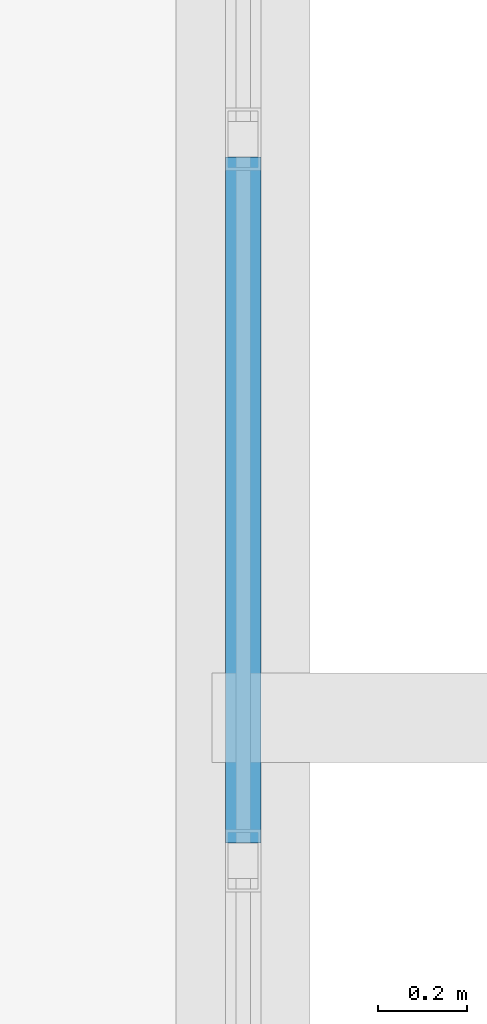
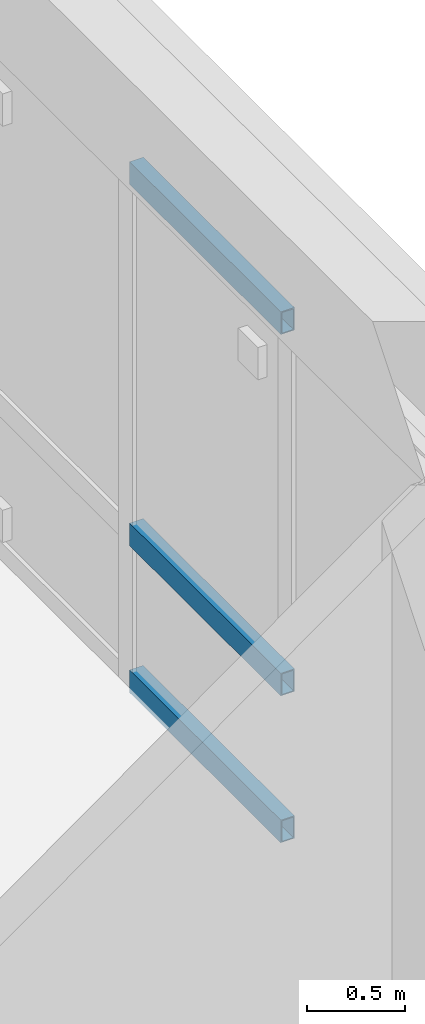
# One storey, part 103 of 170: 3 members, 1 element without a shape of its own.
"""IFC4 building model written with IfcOpenShell, lengths in metres."""

from ifc_helpers import new_model, si_unit, direction, frame, origin, origin_2d, place, context, subcontext, project, spatial, hollow_rectangle, extrude, material, layer, layer_set, material_profile, profile_set, type_object, element, aggregate, save


model = new_model("IFC4")

# Units and contexts
model_context = context("Model", 3, precision=1e-05, world=origin(), true_north=direction((0.0, 1.0)))
body_context = subcontext(model_context, "Body", "Model", "MODEL_VIEW")
ifc_project = project(units=[si_unit("LENGTHUNIT", "METRE"), si_unit("AREAUNIT", "SQUARE_METRE"), si_unit("VOLUMEUNIT", "CUBIC_METRE"), si_unit("PLANEANGLEUNIT", "RADIAN"), si_unit("MASSUNIT", "GRAM", prefix="KILO")], contexts=[model_context])

# Site, building, storey
site_placement = place(None, origin())
site = spatial("IfcSite", under=ifc_project, at=site_placement, CompositionType="ELEMENT")
building_placement = place(site_placement, origin())
building = spatial("IfcBuilding", under=site, at=building_placement, Name="Mazaris Harbour Polytechnic", CompositionType="ELEMENT")
storey_placement = place(building_placement, frame((0.0, 0.0, 5.39990234375)))
storey = spatial("IfcBuildingStorey", under=building, at=storey_placement, Name="L01", CompositionType="ELEMENT", Elevation=5.39990234375)

# Curtain wall, members
ifc_material_1 = material(Name="Anodised Bronze Aluminium and Low-E Glass", Category="aluminium")
ifc_layer = layer(ifc_material_1, 0.169921875, Name="Anodised Bronze Aluminium and Low-E Glass")
ifc_layer_set = layer_set([ifc_layer], Name="Anodised Bronze Aluminium and Low-E Glass")
curtain_wall_type = type_object("IfcCurtainWallType", Name="Studio North-Light Curtain Wall", PredefinedType="NOTDEFINED", material=ifc_layer_set)
curtain_wall_placement = place(storey_placement, origin())
curtain_wall = element("IfcCurtainWall", 1, at=curtain_wall_placement, inside=storey, type_object=curtain_wall_type, Name="V5 L01 Curtain Wall 221", PredefinedType="NOTDEFINED")
ifc_material_2 = material(Name="Anodised Bronze Steel S355", Category="steel")
ifc_material_profile = material_profile(ifc_material_2, hollow_rectangle(XDim=0.080078125, YDim=0.139892578125, WallThickness=0.00634765625, at=origin_2d()), Name="RHS 80x140x6.3")
ifc_profile_set = profile_set([ifc_material_profile], Name="Anodised Bronze Steel S355")
member_type = type_object("IfcMemberType", Name="Curtain Transom RHS80x140", PredefinedType="USERDEFINED", material=ifc_profile_set)
member_1_placement = place(storey_placement, frame((136.800048828125, 77.6484375, 0.0400390625), z_axis=(0.0, 1.0, 0.0), x_axis=(-1.0, 0.0, 0.0)))
member_1 = element("IfcMember", 2, at=member_1_placement, type_object=member_type, Name="CW-03 transom 2.1", ObjectType="TRANSOM", PredefinedType="USERDEFINED", context=body_context, shape_type="SweptSolid", body=[
    extrude(hollow_rectangle(XDim=0.080078125, YDim=0.139892578125, WallThickness=0.00634765625, at=origin_2d()), origin(), (0.0, 0.0, 1.0), 1.53662109375),
])
member_2_placement = place(storey_placement, frame((136.800048828125, 77.6484375, 0.9501953125), z_axis=(0.0, 1.0, 0.0), x_axis=(-1.0, 0.0, 0.0)))
member_2 = element("IfcMember", 3, at=member_2_placement, type_object=member_type, Name="CW-03 transom 2.2", ObjectType="TRANSOM", PredefinedType="USERDEFINED", context=body_context, shape_type="SweptSolid", body=[
    extrude(hollow_rectangle(XDim=0.080078125, YDim=0.139892578125, WallThickness=0.00634765625, at=origin_2d()), origin(), (0.0, 0.0, 1.0), 1.53662109375),
])
member_3_placement = place(storey_placement, frame((136.800048828125, 77.6484375, 3.190185546875), z_axis=(0.0, 1.0, 0.0), x_axis=(-1.0, 0.0, 0.0)))
member_3 = element("IfcMember", 4, at=member_3_placement, type_object=member_type, Name="CW-03 transom 2.3", ObjectType="TRANSOM", PredefinedType="USERDEFINED", context=body_context, shape_type="SweptSolid", body=[
    extrude(hollow_rectangle(XDim=0.080078125, YDim=0.139892578125, WallThickness=0.00634765625, at=origin_2d()), origin(), (0.0, 0.0, 1.0), 1.53662109375),
])
aggregate(curtain_wall, [member_1, member_2, member_3])

save(model, "model.ifc")
